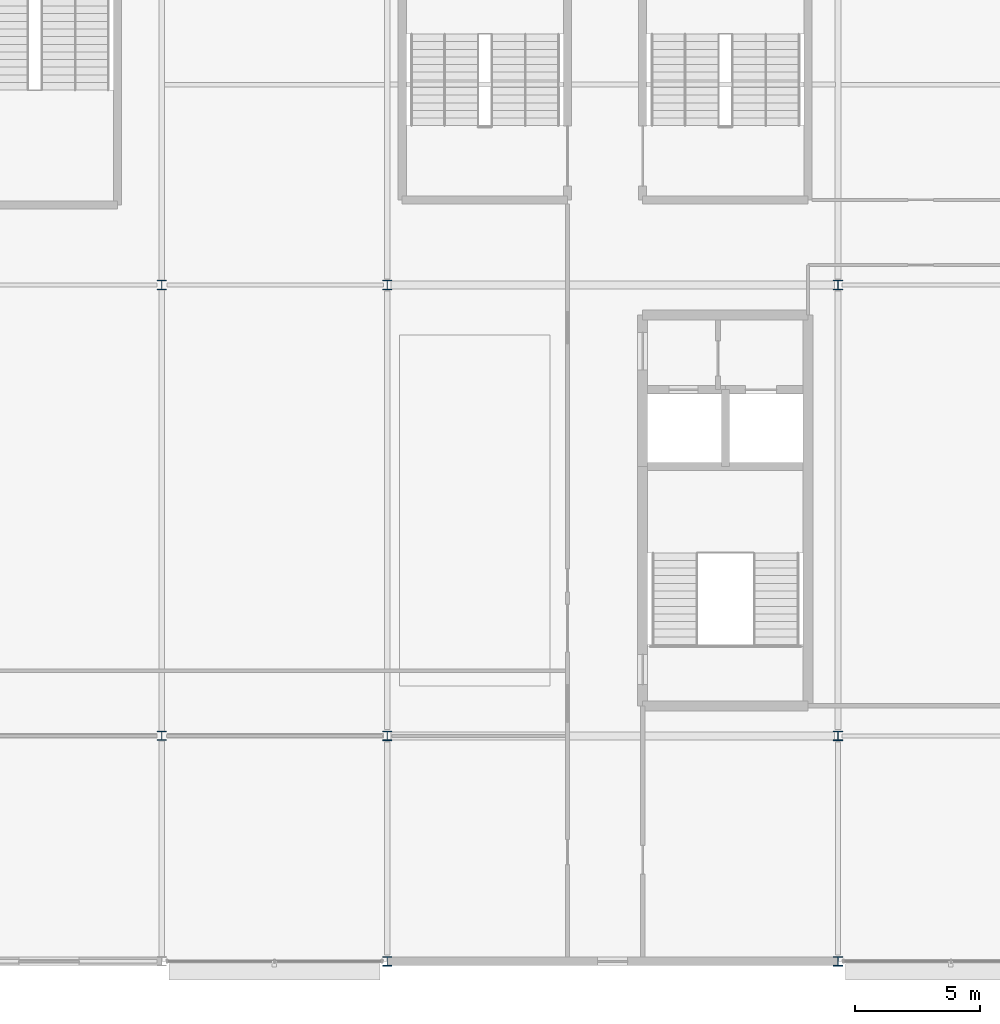
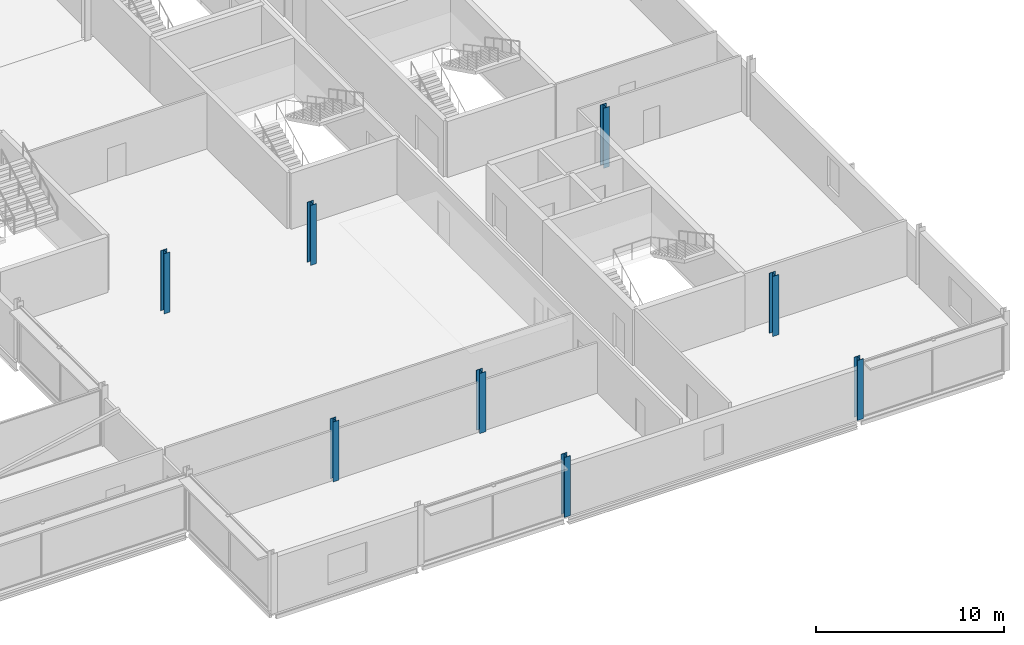
# One storey, part 10 of 98: 8 columns.
"""IFC4 building model written with IfcOpenShell, lengths in metres."""

from ifc_helpers import new_model, si_unit, direction, frame, origin, origin_2d, place, context, subcontext, project, spatial, i_section, extrude, material, material_profile, profile_set, type_object, element, save


model = new_model("IFC4")

# Units and contexts
model_context = context("Model", 3, precision=1e-05, world=origin(), true_north=direction((0.0, 1.0)))
body_context = subcontext(model_context, "Body", "Model", "MODEL_VIEW")
ifc_project = project(units=[si_unit("LENGTHUNIT", "METRE"), si_unit("AREAUNIT", "SQUARE_METRE"), si_unit("VOLUMEUNIT", "CUBIC_METRE"), si_unit("PLANEANGLEUNIT", "RADIAN"), si_unit("MASSUNIT", "GRAM", prefix="KILO")], contexts=[model_context])

# Site, building, storey
site_placement = place(None, origin())
site = spatial("IfcSite", under=ifc_project, at=site_placement, CompositionType="ELEMENT")
building_placement = place(site_placement, origin())
building = spatial("IfcBuilding", under=site, at=building_placement, Name="Kisiwana Market Hall", CompositionType="ELEMENT")
storey_placement = place(building_placement, frame((0.0, 0.0, 29.39990234375)))
storey = spatial("IfcBuildingStorey", under=building, at=storey_placement, Name="L06", CompositionType="ELEMENT", Elevation=29.39990234375)

# Columns
ifc_material_1 = material(Name="Steel S355", Category="steel")
ifc_material_profile_1 = material_profile(ifc_material_1, i_section(OverallWidth=0.37060546875, OverallDepth=0.362060546875, WebThickness=0.01220703125, FlangeThickness=0.020751953125, at=origin_2d()), Name="UC 356x368x153")
ifc_profile_set_1 = profile_set([ifc_material_profile_1], Name="Steel S355")
column_type_1 = type_object("IfcColumnType", Name="COL-STL-UC153", PredefinedType="COLUMN", material=ifc_profile_set_1)
for number, where, z_axis, x_axis, name in (
    (1, (162.0, 18.0, 0.0), (0.0, 0.0, 1.0), (1.0, 0.0, 0.0), "Column C/19 (L06) C-1041"),
    (2, (162.0, 36.0, 0.0), (0.0, 0.0, 1.0), (1.0, 0.0, 0.0), "Column E/19 (L06) C-1042"),
):
    element("IfcColumn", number, at=place(storey_placement, frame(where, z_axis=z_axis, x_axis=x_axis)), inside=storey, type_object=column_type_1, Name=name, PredefinedType="COLUMN", context=body_context, shape_type="SweptSolid", body=[
        extrude(i_section(OverallWidth=0.37060546875, OverallDepth=0.362060546875, WebThickness=0.01220703125, FlangeThickness=0.020751953125, at=origin_2d()), origin(), (0.0, 0.0, 1.0), 3.900146484375),
    ])
ifc_material_2 = material(Name="Steel S355", Category="steel")
ifc_material_profile_2 = material_profile(ifc_material_2, i_section(OverallWidth=0.374755859375, OverallDepth=0.37451171875, WebThickness=0.0166015625, FlangeThickness=0.027099609375, at=origin_2d()), Name="UC 356x368x202")
ifc_profile_set_2 = profile_set([ifc_material_profile_2], Name="Steel S355")
column_type_2 = type_object("IfcColumnType", Name="COL-STL-UC202", PredefinedType="COLUMN", material=ifc_profile_set_2)
for number, where, z_axis, x_axis, name in (
    (3, (171.0, 9.0, 0.0), (0.0, 0.0, 1.0), (1.0, 0.0, 0.0), "Column B/20 (L06) C-1046"),
    (4, (171.0, 18.0, 0.0), (0.0, 0.0, 1.0), (1.0, 0.0, 0.0), "Column C/20 (L06) C-1047"),
    (5, (171.0, 36.0, 0.0), (0.0, 0.0, 1.0), (1.0, 0.0, 0.0), "Column E/20 (L06) C-1048"),
    (6, (189.0, 9.0, 0.0), (0.0, 0.0, 1.0), (1.0, 0.0, 0.0), "Column B/22 (L06) C-1053"),
    (7, (189.0, 18.0, 0.0), (0.0, 0.0, 1.0), (1.0, 0.0, 0.0), "Column C/22 (L06) C-1054"),
    (8, (189.0, 36.0, 0.0), (0.0, 0.0, 1.0), (1.0, 0.0, 0.0), "Column E/22 (L06) C-1055"),
):
    element("IfcColumn", number, at=place(storey_placement, frame(where, z_axis=z_axis, x_axis=x_axis)), inside=storey, type_object=column_type_2, Name=name, PredefinedType="COLUMN", context=body_context, shape_type="SweptSolid", body=[
        extrude(i_section(OverallWidth=0.374755859375, OverallDepth=0.37451171875, WebThickness=0.0166015625, FlangeThickness=0.027099609375, at=origin_2d()), origin(), (0.0, 0.0, 1.0), 3.900146484375),
    ])

save(model, "model.ifc")
